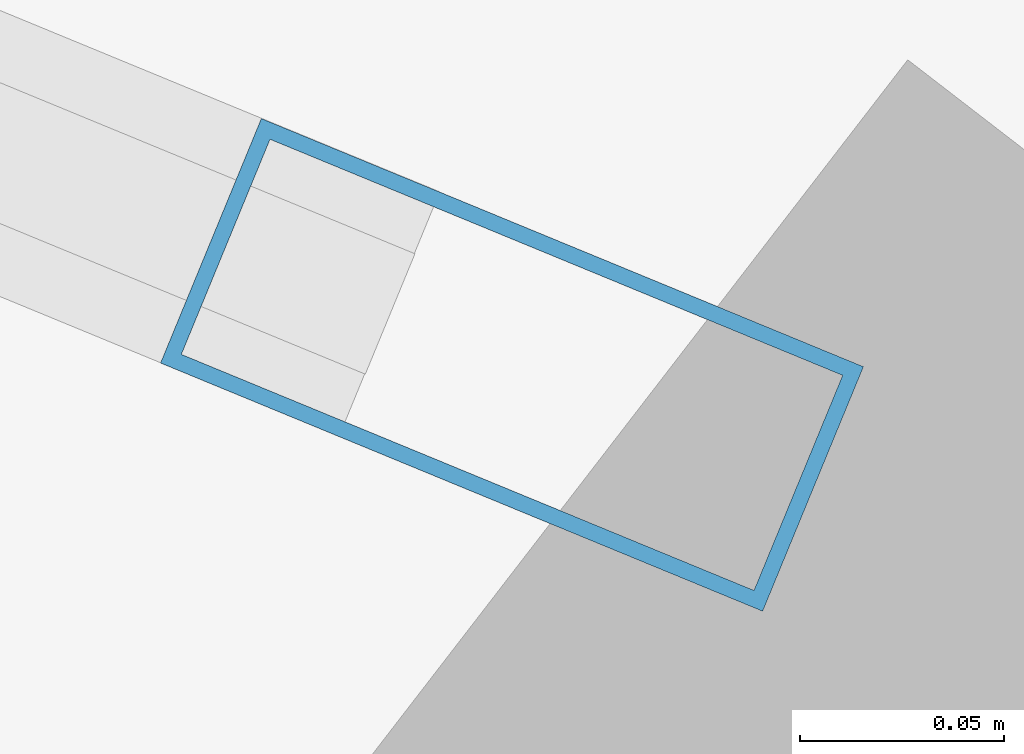
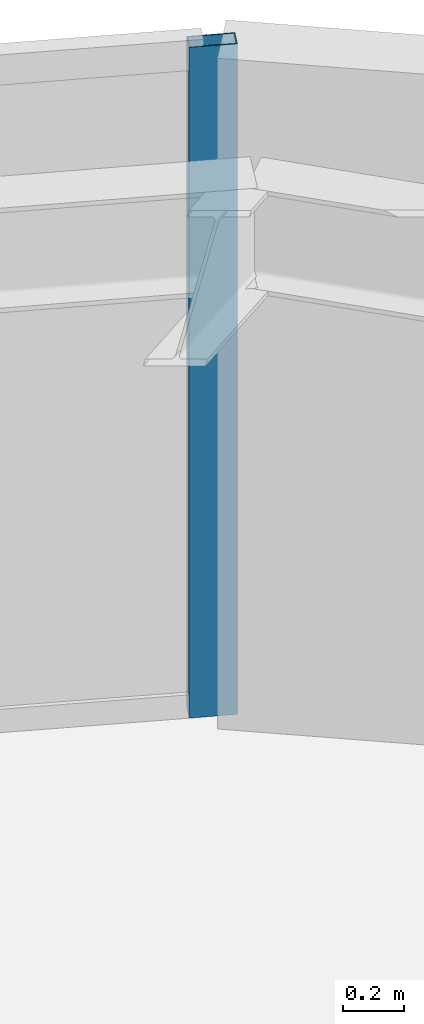
# One storey, part 5 of 17: 1 member, 1 element without a shape of its own.
"""IFC4 building model written with IfcOpenShell, lengths in metres."""

from ifc_helpers import new_model, si_unit, direction, frame, origin, origin_2d, place, context, subcontext, project, spatial, hollow_rectangle, extrude, material, layer, layer_set, material_profile, profile_set, type_object, element, aggregate, save


model = new_model("IFC4")

# Units and contexts
model_context = context("Model", 3, precision=1e-05, world=origin(), true_north=direction((0.0, 1.0)))
body_context = subcontext(model_context, "Body", "Model", "MODEL_VIEW")
ifc_project = project(units=[si_unit("LENGTHUNIT", "METRE"), si_unit("AREAUNIT", "SQUARE_METRE"), si_unit("VOLUMEUNIT", "CUBIC_METRE"), si_unit("PLANEANGLEUNIT", "RADIAN"), si_unit("MASSUNIT", "GRAM", prefix="KILO")], contexts=[model_context])

# Site, building, storey
site_placement = place(None, origin())
site = spatial("IfcSite", under=ifc_project, at=site_placement, CompositionType="ELEMENT")
building_placement = place(site_placement, origin())
building = spatial("IfcBuilding", under=site, at=building_placement, Name="Cununo Teusaquillo Station Towers", CompositionType="ELEMENT")
storey_placement = place(building_placement, frame((0.0, 0.0, 166.14990234375)))
storey = spatial("IfcBuildingStorey", under=building, at=storey_placement, Name="L52", CompositionType="ELEMENT", Elevation=166.14990234375)

# Curtain wall, member
ifc_material_1 = material(Name="Operable acoustic tinted low-E double glazing", Category="glass")
ifc_layer = layer(ifc_material_1, 0.179931640625)
ifc_layer_set = layer_set([ifc_layer], Name="Operable acoustic tinted low-E double glazing")
curtain_wall_type = type_object("IfcCurtainWallType", Name="CW-SYS-06", PredefinedType="USERDEFINED", material=ifc_layer_set)
curtain_wall_placement = place(storey_placement, origin())
curtain_wall = element("IfcCurtainWall", 1, at=curtain_wall_placement, inside=storey, type_object=curtain_wall_type, Name="L52 Tower B Facade Curtain Wall C01", ObjectType="OPERABLE GLAZING", PredefinedType="USERDEFINED")
ifc_material_2 = material(Name="Anodised dark bronze aluminium EN AW-6063-T6", Category="aluminium")
ifc_material_profile = material_profile(ifc_material_2, hollow_rectangle(XDim=0.06494140625, YDim=0.159912109375, WallThickness=0.00390625, at=origin_2d()), Name="CW-MULL-65x160")
ifc_profile_set = profile_set([ifc_material_profile], Name="Anodised dark bronze aluminium EN AW-6063-T6")
member_type = type_object("IfcMemberType", Name="CWM-160", PredefinedType="MULLION", material=ifc_profile_set)
member_placement = place(storey_placement, frame((63.348388671875, 38.156494140625, 0.0), z_axis=(0.0, 0.0, 1.0), x_axis=(0.381121790423, 0.924524840588, 0.0)))
member = element("IfcMember", 2, at=member_placement, type_object=member_type, Name="CW-06 mullion 4", PredefinedType="MULLION", context=body_context, shape_type="SweptSolid", body=[
    extrude(hollow_rectangle(XDim=0.06494140625, YDim=0.159912109375, WallThickness=0.00390625, at=origin_2d()), origin(), (0.0, 0.0, 1.0), 2.675048828125),
])
aggregate(curtain_wall, [member])

save(model, "model.ifc")
